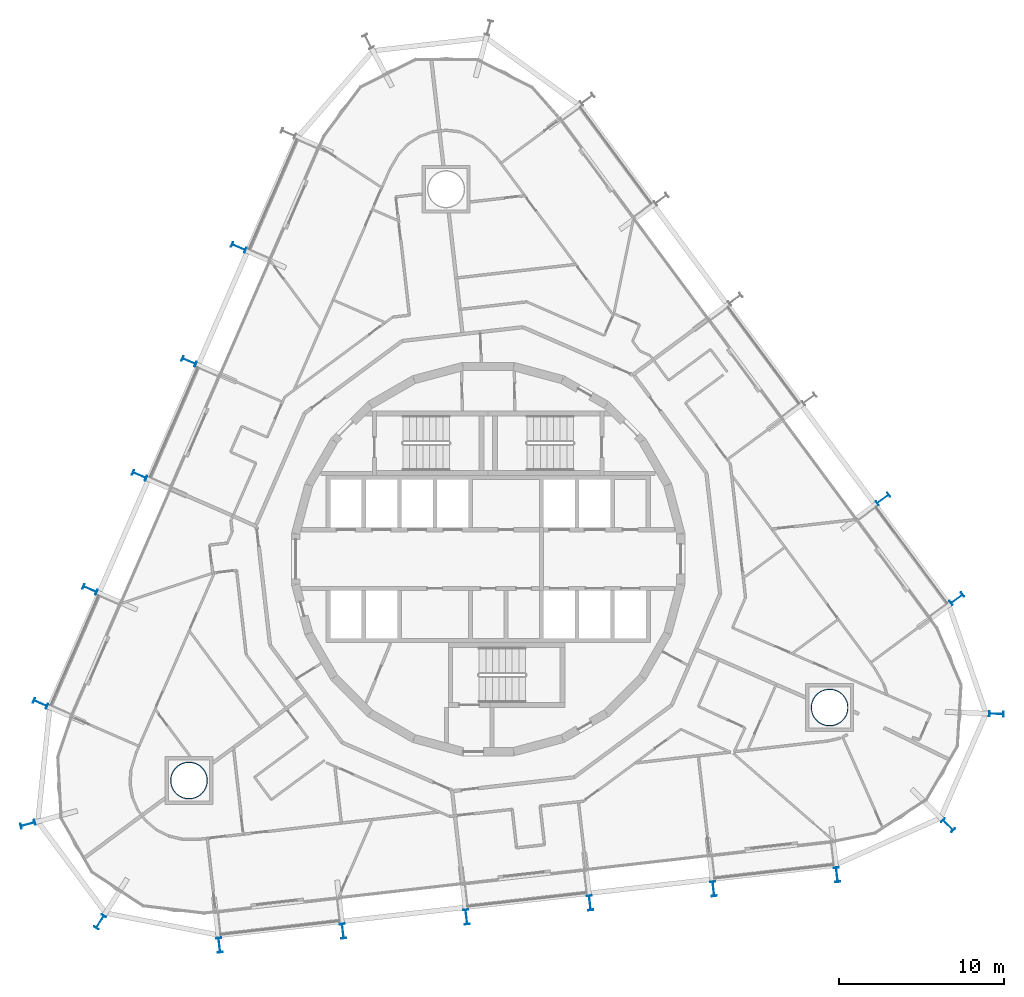
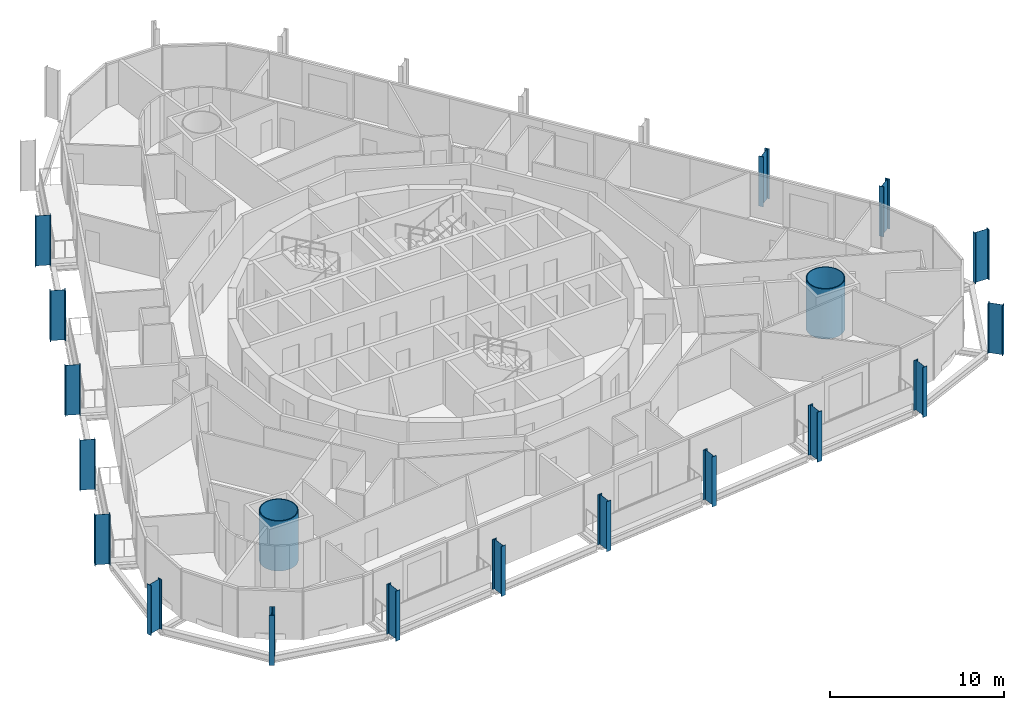
# One storey, part 1 of 22: 19 columns.
"""IFC4 building model written with IfcOpenShell, lengths in metres."""

from ifc_helpers import new_model, si_unit, direction, frame, origin, origin_2d, place, context, subcontext, project, spatial, hollow_circle, i_section, extrude, material, material_profile, profile_set, type_object, element, save


model = new_model("IFC4")

# Units and contexts
model_context = context("Model", 3, precision=1e-05, world=origin(), true_north=direction((0.0, 1.0)))
body_context = subcontext(model_context, "Body", "Model", "MODEL_VIEW")
ifc_project = project(units=[si_unit("LENGTHUNIT", "METRE"), si_unit("AREAUNIT", "SQUARE_METRE"), si_unit("VOLUMEUNIT", "CUBIC_METRE"), si_unit("PLANEANGLEUNIT", "RADIAN"), si_unit("MASSUNIT", "GRAM", prefix="KILO")], contexts=[model_context])

# Site, building, storey
site_placement = place(None, origin())
site = spatial("IfcSite", under=ifc_project, at=site_placement, CompositionType="ELEMENT")
building_placement = place(site_placement, origin())
building = spatial("IfcBuilding", under=site, at=building_placement, Name="Spindle Arch Residences", CompositionType="ELEMENT")
storey_placement = place(building_placement, frame((0.0, 0.0, 80.199951171875)))
storey = spatial("IfcBuildingStorey", under=building, at=storey_placement, Name="L18", CompositionType="ELEMENT", Elevation=80.199951171875)

# Columns
ifc_material_1 = material(Name="Steel S460ML, intumescent coating R 240", Category="steel")
ifc_material_profile_1 = material_profile(ifc_material_1, i_section(OverallWidth=0.300048828125, OverallDepth=0.89990234375, WebThickness=0.0185546875, FlangeThickness=0.034912109375, FilletRadius=0.030029296875, at=origin_2d()), Name="HEB 900")
ifc_profile_set_1 = profile_set([ifc_material_profile_1], Name="Steel S460ML, intumescent coating R 240")
column_type_1 = type_object("IfcColumnType", Name="Exoskeleton post HEB 900", PredefinedType="COLUMN", material=ifc_profile_set_1)
for number, where, z_axis, x_axis, name in (
    (1, (6.153076171875, -20.794677734375, -0.3798828125), (0.0, 0.0, 1.0), (-0.993571881569, -0.113202986513, 0.0), "Exoskeleton post 1"),
    (2, (13.62353515625, -19.943603515625, -0.3798828125), (0.0, 0.0, 1.0), (-0.993571881569, -0.113202986513, 0.0), "Exoskeleton post 2"),
    (3, (21.093994140625, -19.09228515625, -0.3798828125), (0.0, 0.0, 1.0), (-0.993571881569, -0.113202986513, 0.0), "Exoskeleton post 3"),
    (4, (27.81103515625, -16.097900390625, -0.3798828125), (0.0, 0.0, 1.0), (-0.704963041271, -0.709244041527, 0.0), "Exoskeleton post 4"),
    (5, (30.740478515625, -9.36083984375, -0.3798828125), (0.0, 0.0, 1.0), (-0.037923985838, -0.9992806269, 0.0), "Exoskeleton post 5"),
    (6, (28.349365234375, -2.40625, -0.3798828125), (0.0, 0.0, 1.0), (0.594822857897, -0.803856807972, 0.0), "Exoskeleton post 6"),
    (7, (23.876953125, 3.637939453125, -0.3798828125), (0.0, 0.0, 1.0), (0.594822857897, -0.803856807972, 0.0), "Exoskeleton post 7"),
    (8, (-15.0888671875, 18.859130859375, -0.3798828125), (0.0, 0.0, 1.0), (0.398749038162, 0.917060087761, 0.0), "Exoskeleton post 15"),
    (9, (-18.087158203125, 11.9638671875, -0.3798828125), (0.0, 0.0, 1.0), (0.398749038162, 0.917060087761, 0.0), "Exoskeleton post 16"),
    (10, (-21.085205078125, 5.068603515625, -0.3798828125), (0.0, 0.0, 1.0), (0.398749038162, 0.917060087761, 0.0), "Exoskeleton post 17"),
    (11, (-24.083251953125, -1.826416015625, -0.3798828125), (0.0, 0.0, 1.0), (0.398749038162, 0.917060087761, 0.0), "Exoskeleton post 18"),
    (12, (-27.081298828125, -8.7216796875, -0.3798828125), (0.0, 0.0, 1.0), (0.398749038162, 0.917060087761, 0.0), "Exoskeleton post 19"),
    (13, (-27.8466796875, -16.035888671875, -0.3798828125), (0.0, 0.0, 1.0), (-0.261741969429, 0.965137887268, 0.0), "Exoskeleton post 20"),
    (14, (-23.47705078125, -21.94140625, -0.3798828125), (0.0, 0.0, 1.0), (-0.846440049151, 0.532484030928, 0.0), "Exoskeleton post 21"),
    (15, (-16.258544921875, -23.34814453125, -0.3798828125), (0.0, 0.0, 1.0), (-0.993571881569, -0.113202986513, 0.0), "Exoskeleton post 22"),
    (16, (-8.7880859375, -22.4970703125, -0.3798828125), (0.0, 0.0, 1.0), (-0.993571881569, -0.113202986513, 0.0), "Exoskeleton post 23"),
    (17, (-1.3173828125, -21.645751953125, -0.3798828125), (0.0, 0.0, 1.0), (-0.993571881569, -0.113202986513, 0.0), "Exoskeleton post 24"),
):
    element("IfcColumn", number, at=place(storey_placement, frame(where, z_axis=z_axis, x_axis=x_axis)), inside=storey, type_object=column_type_1, Name=name, PredefinedType="COLUMN", context=body_context, shape_type="SweptSolid", body=[
        extrude(i_section(OverallWidth=0.300048828125, OverallDepth=0.89990234375, WebThickness=0.0185546875, FlangeThickness=0.034912109375, FilletRadius=0.030029296875, at=origin_2d()), origin(), (0.0, 0.0, 1.0), 3.5),
    ])
ifc_material_2 = material(Name="Concrete C50/60 filled steel tube S460ML, intumescent coating R 240", Category="concrete")
ifc_material_profile_2 = material_profile(ifc_material_2, hollow_circle(Radius=1.125, WallThickness=0.054931640625, at=origin_2d()), Name="CFT D2250x55")
ifc_profile_set_2 = profile_set([ifc_material_profile_2], Name="Concrete C50/60 filled steel tube S460ML, intumescent coating R 240")
column_type_2 = type_object("IfcColumnType", Name="Mega-column CFT D2250x55", PredefinedType="COLUMN", material=ifc_profile_set_2)
for number, where, z_axis, x_axis, name in (
    (18, (20.647705078125, -8.977783203125, -0.3798828125), (0.0, 0.0, 1.0), (1.0, 0.0, 0.0), "Mega-column 1"),
    (19, (-18.098876953125, -13.392578125, -0.3798828125), (0.0, 0.0, 1.0), (1.0, 0.0, 0.0), "Mega-column 3"),
):
    element("IfcColumn", number, at=place(storey_placement, frame(where, z_axis=z_axis, x_axis=x_axis)), inside=storey, type_object=column_type_2, Name=name, PredefinedType="COLUMN", context=body_context, shape_type="SweptSolid", body=[
        extrude(hollow_circle(Radius=1.125, WallThickness=0.054931640625, at=origin_2d()), origin(), (0.0, 0.0, 1.0), 3.5),
    ])

save(model, "model.ifc")
